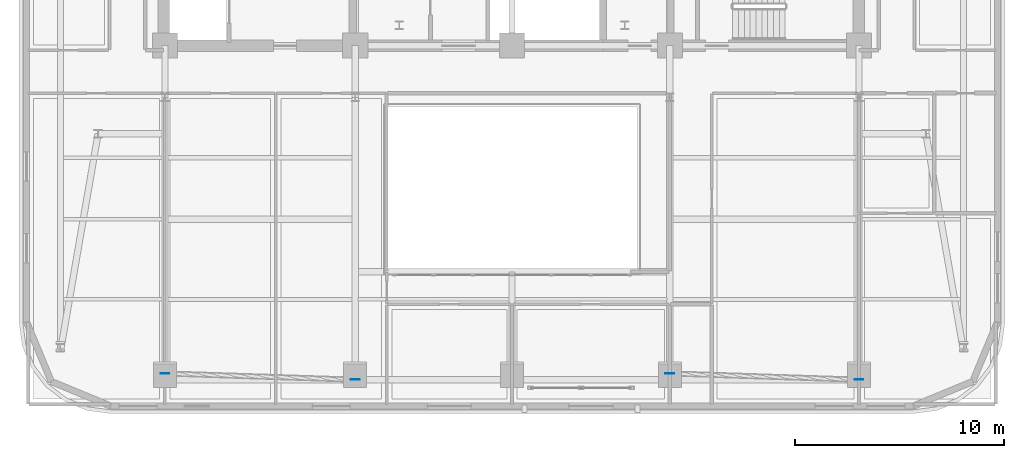
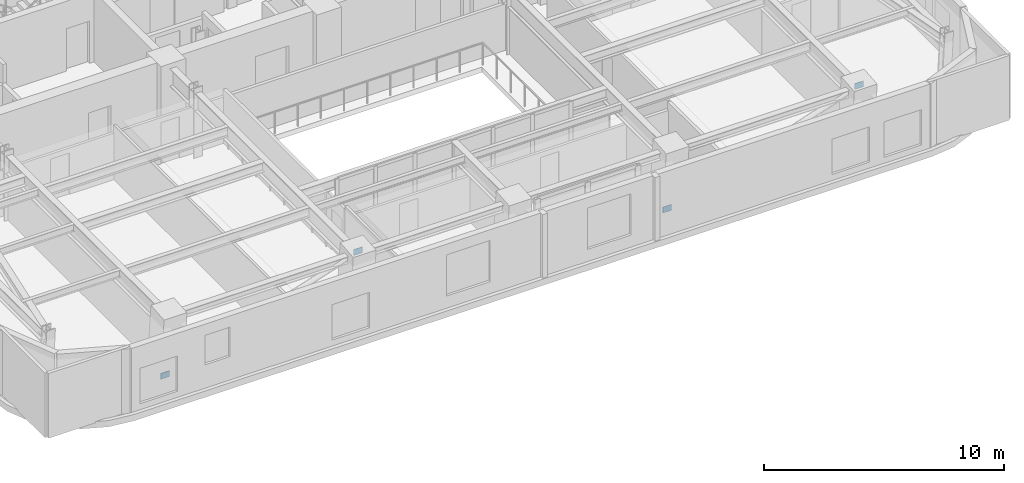
# One storey, part 5 of 12: 4 plates.
"""IFC4 building model written with IfcOpenShell, lengths in metres."""

from ifc_helpers import new_model, si_unit, direction, frame, origin, origin_2d, place, context, subcontext, project, spatial, rectangle, extrude, material, layer, layer_set, type_object, element, save


model = new_model("IFC4")

# Units and contexts
model_context = context("Model", 3, precision=1e-05, world=origin(), true_north=direction((0.0, 1.0)))
body_context = subcontext(model_context, "Body", "Model", "MODEL_VIEW")
ifc_project = project(units=[si_unit("LENGTHUNIT", "METRE"), si_unit("AREAUNIT", "SQUARE_METRE"), si_unit("VOLUMEUNIT", "CUBIC_METRE"), si_unit("PLANEANGLEUNIT", "RADIAN"), si_unit("MASSUNIT", "GRAM", prefix="KILO")], contexts=[model_context])

# Site, building, storey
site_placement = place(None, origin())
site = spatial("IfcSite", under=ifc_project, at=site_placement, CompositionType="ELEMENT")
building_placement = place(site_placement, origin())
building = spatial("IfcBuilding", under=site, at=building_placement, Name="Zarnavel Station Tower", CompositionType="ELEMENT")
storey_placement = place(building_placement, frame((0.0, 0.0, 155.449951171875)))
storey = spatial("IfcBuildingStorey", under=building, at=storey_placement, Name="L42", CompositionType="ELEMENT", Elevation=155.449951171875)

# Plates
ifc_material = material(Name="Steel S460M", Category="steel")
ifc_layer = layer(ifc_material, 0.02490234375)
ifc_layer_set = layer_set([ifc_layer], Name="GP_GUSSET_25")
plate_type = type_object("IfcPlateType", Name="GP_GUSSET_25", PredefinedType="USERDEFINED", material=ifc_layer_set)
for number, where, z_axis, x_axis, name in (
    (1, (12.199951171875, 12.14111328125, -0.14990234375), (0.0, 0.0, 1.0), (1.0, 0.0, 0.0), "L42 Exterior Diagonal Brace End Gusset 1-1"),
    (2, (21.300048828125, 11.843017578125, 3.14013671875), (0.0, 0.0, 1.0), (1.0, 0.0, 0.0), "L42 Exterior Diagonal Brace End Gusset 1-2"),
    (3, (36.35009765625, 12.14111328125, -0.14990234375), (0.0, 0.0, 1.0), (1.0, 0.0, 0.0), "L42 Exterior Diagonal Brace End Gusset 2-1"),
    (4, (45.39990234375, 11.843017578125, 3.14013671875), (0.0, 0.0, 1.0), (1.0, 0.0, 0.0), "L42 Exterior Diagonal Brace End Gusset 2-2"),
):
    element("IfcPlate", number, at=place(storey_placement, frame(where, z_axis=z_axis, x_axis=x_axis)), inside=storey, type_object=plate_type, Name=name, ObjectType="GUSSET_PLATE", PredefinedType="USERDEFINED", context=body_context, shape_type="SweptSolid", body=[
        extrude(rectangle(XDim=0.419921875, YDim=0.02490234375, at=origin_2d()), origin(), (0.0, 0.0, 1.0), 0.300048828125),
    ])

save(model, "model.ifc")
